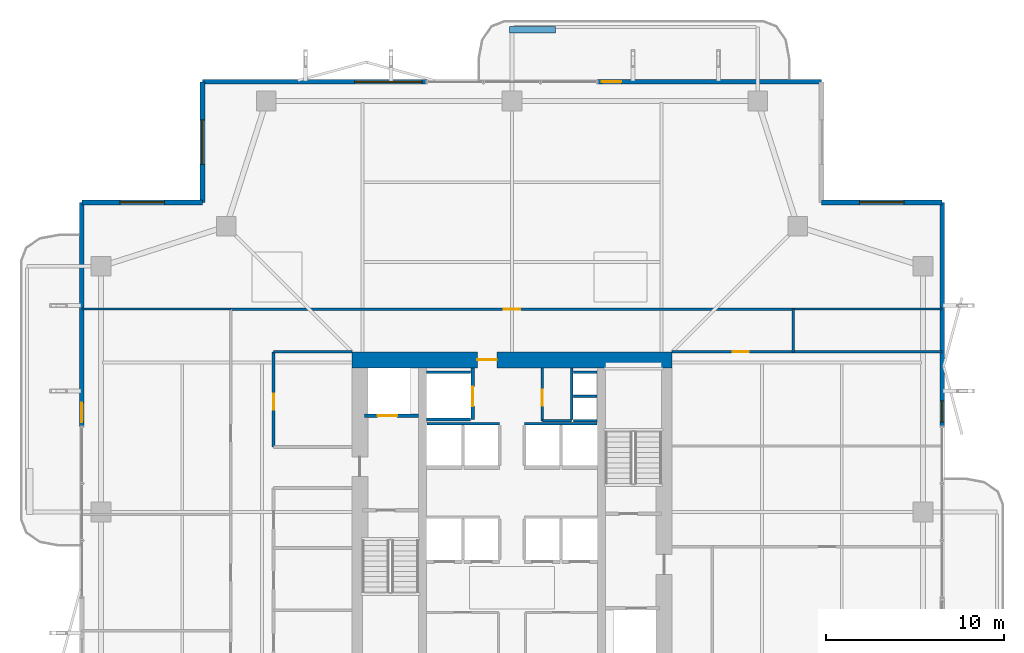
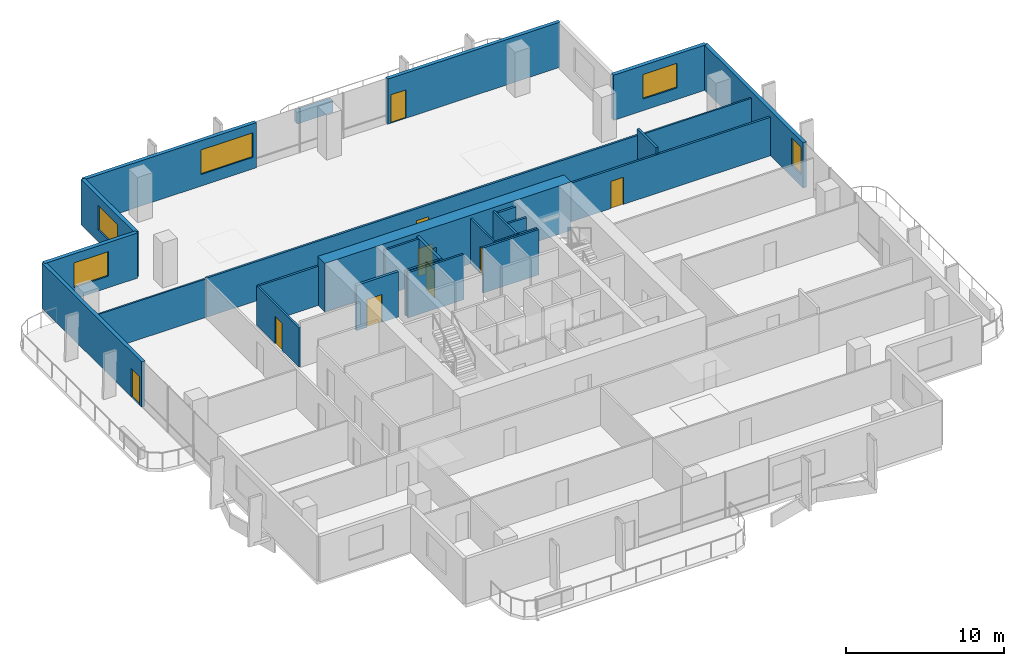
# One storey, part 21 of 25: 28 walls, 9 doors, 5 windows, 14 openings.
"""IFC4 building model written with IfcOpenShell, lengths in metres."""

import ifcopenshell
import ifcopenshell.guid

model = None  # the IFC model being written
_history = None  # IfcOwnerHistory: only IFC2X3 demands one
_inside = {}  # id of a spatial element -> (the spatial element, [elements in it])
_under = {}  # id of a project, library or spatial element -> (it, [spatial elements below it])
_declared = {}  # id of a project -> (the project, [libraries it declares])
_typed = {}  # id of a type object -> (the type object, [elements of that type])
_made_of = {}  # id of a material, layer set ... -> (it, [elements and type objects made of it])


def new_model(schema):
    """Start an empty IFC model of exactly this schema.

    Asked for "IFC4X3", IfcOpenShell would pick the latest addendum, in which some entities
    have other attributes; the version numbers below select the first issue.
    IFC2X3 requires an IfcOwnerHistory on every rooted entity: one is made here for all.
    """
    global model, _history
    if schema == "IFC4X3":
        model = ifcopenshell.file(schema_version=(4, 3, 0, 0))
    else:
        model = ifcopenshell.file(schema=schema)
    _inside.clear()
    _under.clear()
    _declared.clear()
    _typed.clear()
    _made_of.clear()
    _history = None
    if model.schema == "IFC2X3":
        org = make("IfcOrganization", Name="unknown")
        user = make(
            "IfcPersonAndOrganization",
            ThePerson=make("IfcPerson", FamilyName="unknown"),
            TheOrganization=org,
        )
        app = make(
            "IfcApplication",
            ApplicationDeveloper=org,
            Version="unknown",
            ApplicationFullName="unknown",
            ApplicationIdentifier="unknown",
        )
        _history = make(
            "IfcOwnerHistory",
            OwningUser=user,
            OwningApplication=app,
            ChangeAction="ADDED",
            CreationDate=0,
        )
    return model


def make(cls, **values):
    """One entity of the class cls with the attributes given. An attribute that is None is left unset."""
    return model.create_entity(
        cls, **{name: value for name, value in values.items() if value is not None}
    )


def rooted(cls, **values):
    """An entity with a GlobalId (a new one), such as an element, a storey or a relation."""
    return make(cls, GlobalId=ifcopenshell.guid.new(), OwnerHistory=_history, **values)


def si_unit(unit_type, name, prefix=None):
    """IfcSIUnit, for example si_unit("LENGTHUNIT", "METRE", prefix="MILLI")."""
    return make("IfcSIUnit", UnitType=unit_type, Prefix=prefix, Name=name)


def assignment(units):
    """IfcUnitAssignment: the units of a project."""
    return None if units is None else make("IfcUnitAssignment", Units=units)


def point(xyz):
    """IfcCartesianPoint."""
    return None if xyz is None else make("IfcCartesianPoint", Coordinates=xyz)


def direction(xyz):
    """IfcDirection."""
    return None if xyz is None else make("IfcDirection", DirectionRatios=xyz)


def frame(location, z_axis=None, x_axis=None):
    """IfcAxis2Placement3D, a coordinate frame: its origin and axes. An axis left out is left unset."""
    return make(
        "IfcAxis2Placement3D",
        Location=point(location),
        Axis=direction(z_axis),
        RefDirection=direction(x_axis),
    )


def frame_2d(location, x_axis=None):
    """IfcAxis2Placement2D, a coordinate frame in the plane: its origin and x axis."""
    return make(
        "IfcAxis2Placement2D", Location=point(location), RefDirection=direction(x_axis)
    )


def origin():
    """The frame at (0, 0, 0) with its axes left unset."""
    return frame((0.0, 0.0, 0.0))


def place(relative_to, where):
    """IfcLocalPlacement: puts the frame where relative to a parent placement (None: the world)."""
    return make(
        "IfcLocalPlacement", PlacementRelTo=relative_to, RelativePlacement=where
    )


def context(
    kind, dimensions, precision=None, world=None, true_north=None, identifier=None
):
    """IfcGeometricRepresentationContext, for example the 3D "Model" context."""
    return make(
        "IfcGeometricRepresentationContext",
        ContextIdentifier=identifier,
        ContextType=kind,
        CoordinateSpaceDimension=dimensions,
        Precision=precision,
        WorldCoordinateSystem=world,
        TrueNorth=true_north,
    )


def subcontext(parent, identifier, kind, view, scale=None):
    """IfcGeometricRepresentationSubContext, for example "Body" below "Model"."""
    return make(
        "IfcGeometricRepresentationSubContext",
        ContextIdentifier=identifier,
        ContextType=kind,
        ParentContext=parent,
        TargetScale=scale,
        TargetView=view,
    )


def project(units=None, contexts=None):
    """IfcProject with its units and contexts."""
    return rooted(
        "IfcProject",
        Name="project",
        RepresentationContexts=contexts,
        UnitsInContext=assignment(units),
    )


def spatial(cls, under=None, at=None, **own):
    """A site, building, storey or space (cls), placed at a placement, below another one or the project."""
    s = rooted(cls, ObjectPlacement=at, **own)
    if under is not None:
        _under.setdefault(under.id(), (under, []))[1].append(s)
    return s


def profile(cls, at=None, kind="AREA", **sizes):
    """A parametric profile (cls). Its sizes go by their IFC names, for example OverallWidth=200.0."""
    return make(cls, ProfileType=kind, Position=at, **sizes)


def rectangle(**sizes):
    """IfcRectangleProfileDef."""
    return profile("IfcRectangleProfileDef", **sizes)


def extrude(swept, where, along, depth):
    """IfcExtrudedAreaSolid: the profile swept, set in the frame where, extruded along a direction by depth."""
    return make(
        "IfcExtrudedAreaSolid",
        SweptArea=swept,
        Position=where,
        ExtrudedDirection=direction(along),
        Depth=depth,
    )


def shape(context_of_items, identifier, shape_type, items):
    """IfcShapeRepresentation: the items that make up one representation, for example the "Body"."""
    return make(
        "IfcShapeRepresentation",
        ContextOfItems=context_of_items,
        RepresentationIdentifier=identifier,
        RepresentationType=shape_type,
        Items=items,
    )


def material(Name=None, Category=None):
    """IfcMaterial."""
    return make("IfcMaterial", Name=Name, Category=Category)


def layer(
    of_material, thickness, ventilated=None, Name=None, Category=None, Priority=None
):
    """IfcMaterialLayer: one layer of a wall or slab, of a material (None: an air gap)."""
    return make(
        "IfcMaterialLayer",
        Material=of_material,
        LayerThickness=thickness,
        IsVentilated=ventilated,
        Name=Name,
        Category=Category,
        Priority=Priority,
    )


def layer_set(layers, Name=None):
    """IfcMaterialLayerSet."""
    return make("IfcMaterialLayerSet", MaterialLayers=layers, LayerSetName=Name)


def made_of(thing, what):
    """Note that an element or type object is made of a material, layer set ...; save() writes the relation."""
    if what is not None:
        _made_of.setdefault(what.id(), (what, []))[1].append(thing)
    return thing


def type_object(cls, material=None, **own):
    """A type object (cls), such as IfcWallType, which elements share."""
    return made_of(rooted(cls, **own), material)


def element(
    cls,
    number,
    at=None,
    inside=None,
    cuts=None,
    type_object=None,
    material=None,
    context=None,
    identifier="Body",
    shape_type=None,
    held_by="IfcProductDefinitionShape",
    body=None,
    shapes=None,
    **own,
):
    """One element of the class cls, such as IfcWall. Its Tag is "e" and its number.

    at: its placement. inside: the storey or other place that contains it. cuts: it is an
    opening in that element (IfcRelVoidsElement). A single representation is given by context,
    identifier, shape_type and body (its items); several are given by shapes. held_by: the class
    of the entity that holds the representations. save() writes the other relations.
    """
    e = rooted(cls, Tag="e%d" % number, ObjectPlacement=at, **own)
    if body is not None:
        shapes = [shape(context, identifier, shape_type, body)]
    if shapes is not None:
        e.Representation = make(held_by, Representations=shapes)
    if inside is not None:
        _inside.setdefault(inside.id(), (inside, []))[1].append(e)
    if cuts is not None:
        rooted(
            "IfcRelVoidsElement", RelatingBuildingElement=cuts, RelatedOpeningElement=e
        )
    if type_object is not None:
        _typed.setdefault(type_object.id(), (type_object, []))[1].append(e)
    return made_of(e, material)


def fill(opening, filler):
    """IfcRelFillsElement: the door or window that sits in an opening."""
    return rooted(
        "IfcRelFillsElement",
        RelatingOpeningElement=opening,
        RelatedBuildingElement=filler,
    )


def aggregate(whole, parts):
    """IfcRelAggregates: a whole, such as a stair, and the parts it consists of."""
    return rooted("IfcRelAggregates", RelatingObject=whole, RelatedObjects=parts)


def save(model, path):
    """Write the relations noted so far, then the file.

    IfcRelAggregates (storeys below a building ...), IfcRelContainedInSpatialStructure (elements
    in a storey), IfcRelDefinesByType, IfcRelAssociatesMaterial and IfcRelDeclares: one each for
    every whole, place, type object, material and project.
    """
    for whole, parts in _under.values():
        aggregate(whole, parts)
    for where, things in _inside.values():
        rooted(
            "IfcRelContainedInSpatialStructure",
            RelatedElements=things,
            RelatingStructure=where,
        )
    for kind, things in _typed.values():
        rooted("IfcRelDefinesByType", RelatedObjects=things, RelatingType=kind)
    for what, things in _made_of.values():
        rooted("IfcRelAssociatesMaterial", RelatedObjects=things, RelatingMaterial=what)
    for by, libraries in _declared.values():
        rooted("IfcRelDeclares", RelatingContext=by, RelatedDefinitions=libraries)
    model.write(path)


model = new_model("IFC4")

# Units and contexts
model_context = context("Model", 3, precision=1e-05, world=origin(), true_north=direction((0.0, 1.0)))
body_context = subcontext(model_context, "Body", "Model", "MODEL_VIEW")
ifc_project = project(units=[si_unit("LENGTHUNIT", "METRE"), si_unit("AREAUNIT", "SQUARE_METRE"), si_unit("VOLUMEUNIT", "CUBIC_METRE"), si_unit("PLANEANGLEUNIT", "RADIAN"), si_unit("MASSUNIT", "GRAM", prefix="KILO")], contexts=[model_context])

# Site, building, storey
site_placement = place(None, origin())
site = spatial("IfcSite", under=ifc_project, at=site_placement, CompositionType="ELEMENT")
building_placement = place(site_placement, origin())
building = spatial("IfcBuilding", under=site, at=building_placement, Name="Belovzor Exchange Tower", CompositionType="ELEMENT")
storey_placement = place(building_placement, frame((0.0, 0.0, 160.800048828125)))
storey = spatial("IfcBuildingStorey", under=building, at=storey_placement, Name="L39", CompositionType="ELEMENT", Elevation=160.800048828125)

# Walls
ifc_material_1 = material(Name="Acoustic Plasterboard on Galvanised Studs", Category="gypsum")
ifc_layer_1 = layer(ifc_material_1, 0.1201171875)
ifc_layer_set_1 = layer_set([ifc_layer_1], Name="Acoustic Plasterboard on Galvanised Studs")
wall_type_1 = type_object("IfcWallType", Name="Acoustic Double-Stud Partition Wall 120", PredefinedType="PARTITIONING", material=ifc_layer_set_1)
wall_1_placement = place(storey_placement, frame((4.6298828125, 40.199951171875, 0.0), z_axis=(0.0, 0.0, 1.0), x_axis=(1.0, 0.0, 0.0)))
element("IfcWall", 1, at=wall_1_placement, inside=storey, type_object=wall_type_1, Name="W-P120 Partition Wall W-L39-END-NW", PredefinedType="PARTITIONING", context=body_context, shape_type="SweptSolid", body=[
    extrude(rectangle(XDim=8.3701171875, YDim=0.1201171875, at=frame_2d((4.18505859375, 0.0))), origin(), (0.0, 0.0, 1.0), 2.97998046875),
])
wall_2_placement = place(storey_placement, frame((44.60009765625, 40.199951171875, 0.0), z_axis=(0.0, 0.0, 1.0), x_axis=(1.0, 0.0, 0.0)))
element("IfcWall", 2, at=wall_2_placement, inside=storey, type_object=wall_type_1, Name="W-P120 Partition Wall W-L39-END-NE", PredefinedType="PARTITIONING", context=body_context, shape_type="SweptSolid", body=[
    extrude(rectangle(XDim=8.369873046875, YDim=0.1201171875, at=frame_2d((4.18505859375, 0.0))), origin(), (0.0, 0.0, 1.0), 2.97998046875),
])

# Wall, opening, door
ifc_material_2 = material(Name="Fire-Rated Plasterboard on Galvanised Studs", Category="gypsum")
ifc_layer_2 = layer(ifc_material_2, 0.1201171875)
ifc_layer_set_2 = layer_set([ifc_layer_2], Name="Fire-Rated Plasterboard on Galvanised Studs")
wall_type_2 = type_object("IfcWallType", Name="Fire-Rated Double-Stud Partition Wall 120", PredefinedType="PARTITIONING", material=ifc_layer_set_2)
wall_3_placement = place(storey_placement, frame((30.5, 33.925048828125, 0.0), z_axis=(0.0, 0.0, 1.0), x_axis=(0.0, 1.0, 0.0)))
wall_3 = element("IfcWall", 3, at=wall_3_placement, inside=storey, type_object=wall_type_2, Name="W-P120F Partition Wall W-CRV-L39-W", PredefinedType="PARTITIONING", context=body_context, shape_type="SweptSolid", body=[
    extrude(rectangle(XDim=2.974853515625, YDim=0.1201171875, at=frame_2d((1.4873046875, 0.0))), origin(), (0.0, 0.0, 1.0), 3.494873046875),
])
opening_1_placement = place(wall_3_placement, frame((0.85009765625, 0.0, 0.0)))
opening_1 = element("IfcOpeningElement", 4, at=opening_1_placement, cuts=wall_3, Name="Opening D-FD60-090", PredefinedType="OPENING", context=body_context, shape_type="SweptSolid", body=[
    extrude(rectangle(XDim=0.89990234375, YDim=2.10009765625, at=frame_2d((0.449951171875, 1.050048828125))), frame((0.0, 0.070068359375, 0.0), z_axis=(0.0, -1.0, 0.0), x_axis=(1.0, 0.0, 0.0)), (0.0, 0.0, 1.0), 0.14013671875),
])
ifc_material_3 = material(Name="Acoustic Timber Fire Leaf", Category="wood")
door_type_1 = type_object("IfcDoorType", Name="Core Service & Restroom Fire Door 900x2100", OperationType="NOTDEFINED", PredefinedType="DOOR", material=ifc_material_3)
door_1_placement = place(opening_1_placement, origin())
door_1 = element("IfcDoor", 5, at=door_1_placement, inside=storey, type_object=door_type_1, Name="D-FD60-090 Core Service & Restroom Fire Door 900x2100", OperationType="SINGLE_SWING_LEFT", OverallHeight=2.10009765625, OverallWidth=0.89990234375, PredefinedType="DOOR", context=body_context, shape_type="SweptSolid", body=[
    extrude(rectangle(XDim=0.89990234375, YDim=2.10009765625, at=frame_2d((0.449951171875, 1.050048828125))), frame((0.0, 0.02490234375, 0.0), z_axis=(0.0, -1.0, 0.0), x_axis=(1.0, 0.0, 0.0)), (0.0, 0.0, 1.0), 0.050048828125),
])
fill(opening_1, door_1)

# Walls
wall_4_placement = place(storey_placement, frame((30.5, 33.925048828125, 0.0), z_axis=(0.0, 0.0, 1.0), x_axis=(1.0, 0.0, 0.0)))
element("IfcWall", 6, at=wall_4_placement, inside=storey, type_object=wall_type_2, Name="W-P120F Partition Wall W-CRV-L39-S", PredefinedType="PARTITIONING", context=body_context, shape_type="SweptSolid", body=[
    extrude(rectangle(XDim=1.64990234375, YDim=0.1201171875, at=frame_2d((0.824951171875, 0.0))), origin(), (0.0, 0.0, 1.0), 3.494873046875),
])
ifc_material_4 = material(Name="Fire-Rated Gypsum Block and Mineral Wool", Category="gypsum")
ifc_layer_3 = layer(ifc_material_4, 0.14990234375)
ifc_layer_set_3 = layer_set([ifc_layer_3], Name="Fire-Rated Gypsum Block and Mineral Wool")
wall_type_3 = type_object("IfcWallType", Name="Fire-Rated Gypsum Block Corridor Wall 150", PredefinedType="PARTITIONING", material=ifc_layer_set_3)
wall_5_placement = place(storey_placement, frame((15.39990234375, 37.800048828125, 0.0), z_axis=(0.0, 0.0, 1.0), x_axis=(1.0, 0.0, 0.0)))
element("IfcWall", 7, at=wall_5_placement, inside=storey, type_object=wall_type_3, Name="W-P150 Partition Wall W-L39-INW-N", PredefinedType="PARTITIONING", context=body_context, shape_type="SweptSolid", body=[
    extrude(rectangle(XDim=4.400146484375, YDim=0.14990234375, at=frame_2d((2.2001953125, 0.0))), origin(), (0.0, 0.0, 1.0), 3.030029296875),
])

# Wall, opening, door
wall_6_placement = place(storey_placement, frame((15.39990234375, 32.449951171875, 0.0), z_axis=(0.0, 0.0, 1.0), x_axis=(0.0, 1.0, 0.0)))
wall_6 = element("IfcWall", 8, at=wall_6_placement, inside=storey, type_object=wall_type_3, Name="W-P150 Partition Wall W-L39-WIE-N", PredefinedType="PARTITIONING", context=body_context, shape_type="SweptSolid", body=[
    extrude(rectangle(XDim=5.35009765625, YDim=0.14990234375, at=frame_2d((2.675048828125, 0.0))), origin(), (0.0, 0.0, 1.0), 3.030029296875),
])
opening_2_placement = place(wall_6_placement, frame((2.10009765625, 0.0, 0.0)))
opening_2 = element("IfcOpeningElement", 9, at=opening_2_placement, cuts=wall_6, Name="Opening D-FD60-090", PredefinedType="OPENING", context=body_context, shape_type="SweptSolid", body=[
    extrude(rectangle(XDim=0.89990234375, YDim=2.10009765625, at=frame_2d((0.449951171875, 1.050048828125))), frame((0.0, 0.0849609375, 0.0), z_axis=(0.0, -1.0, 0.0), x_axis=(1.0, 0.0, 0.0)), (0.0, 0.0, 1.0), 0.169921875),
])
door_2_placement = place(opening_2_placement, origin())
door_2 = element("IfcDoor", 10, at=door_2_placement, inside=storey, type_object=door_type_1, Name="D-FD60-090 Core Service & Restroom Fire Door 900x2100", OperationType="SINGLE_SWING_LEFT", OverallHeight=2.10009765625, OverallWidth=0.89990234375, PredefinedType="DOOR", context=body_context, shape_type="SweptSolid", body=[
    extrude(rectangle(XDim=0.89990234375, YDim=2.10009765625, at=frame_2d((0.449951171875, 1.050048828125))), frame((0.0, 0.02490234375, 0.0), z_axis=(0.0, -1.0, 0.0), x_axis=(1.0, 0.0, 0.0)), (0.0, 0.0, 1.0), 0.050048828125),
])
fill(opening_2, door_2)

# Wall
wall_7_placement = place(storey_placement, frame((44.60009765625, 37.800048828125, 0.0), z_axis=(0.0, 0.0, 1.0), x_axis=(0.0, 1.0, 0.0)))
element("IfcWall", 11, at=wall_7_placement, inside=storey, type_object=wall_type_3, Name="W-P150 Partition Wall W-L39-END-EN", PredefinedType="PARTITIONING", context=body_context, shape_type="SweptSolid", body=[
    extrude(rectangle(XDim=2.39990234375, YDim=0.14990234375, at=frame_2d((1.199951171875, 0.0))), origin(), (0.0, 0.0, 1.0), 3.494873046875),
])

# Wall, opening, door
wall_8_placement = place(storey_placement, frame((37.800048828125, 37.800048828125, 0.0), z_axis=(0.0, 0.0, 1.0), x_axis=(1.0, 0.0, 0.0)))
wall_8 = element("IfcWall", 12, at=wall_8_placement, inside=storey, type_object=wall_type_3, Name="W-P150 Partition Wall W-L39-CN-IN", PredefinedType="PARTITIONING", context=body_context, shape_type="SweptSolid", body=[
    extrude(rectangle(XDim=15.169921875, YDim=0.14990234375, at=frame_2d((7.5849609375, 0.0))), origin(), (0.0, 0.0, 1.0), 2.97998046875),
])
opening_3_placement = place(wall_8_placement, frame((3.39990234375, 0.0, 0.0)))
opening_3 = element("IfcOpeningElement", 13, at=opening_3_placement, cuts=wall_8, Name="Opening D-INT-090", PredefinedType="OPENING", context=body_context, shape_type="SweptSolid", body=[
    extrude(rectangle(XDim=0.89990234375, YDim=2.10009765625, at=frame_2d((0.449951171875, 1.050048828125))), frame((0.0, 0.0849609375, 0.0), z_axis=(0.0, -1.0, 0.0), x_axis=(1.0, 0.0, 0.0)), (0.0, 0.0, 1.0), 0.169921875),
])
ifc_material_5 = material(Name="Veneered Hardwood Acoustic Leaf", Category="wood")
door_type_2 = type_object("IfcDoorType", Name="Trading Suite Acoustic Single Door 900x2100", OperationType="NOTDEFINED", PredefinedType="DOOR", material=ifc_material_5)
door_3_placement = place(opening_3_placement, origin())
door_3 = element("IfcDoor", 14, at=door_3_placement, inside=storey, type_object=door_type_2, Name="D-INT-090 Trading Suite Acoustic Single Door 900x2100", OperationType="SINGLE_SWING_RIGHT", OverallHeight=2.10009765625, OverallWidth=0.89990234375, PredefinedType="DOOR", context=body_context, shape_type="SweptSolid", body=[
    extrude(rectangle(XDim=0.89990234375, YDim=2.10009765625, at=frame_2d((0.449951171875, 1.050048828125))), frame((0.0, 0.02490234375, 0.0), z_axis=(0.0, -1.0, 0.0), x_axis=(1.0, 0.0, 0.0)), (0.0, 0.0, 1.0), 0.050048828125),
])
fill(opening_3, door_3)

wall_9_placement = place(storey_placement, frame((13.0, 40.199951171875, 0.0), z_axis=(0.0, 0.0, 1.0), x_axis=(1.0, 0.0, 0.0)))
wall_9 = element("IfcWall", 15, at=wall_9_placement, inside=storey, type_object=wall_type_3, Name="W-P150 Partition Wall W-L39-CN", PredefinedType="PARTITIONING", context=body_context, shape_type="SweptSolid", body=[
    extrude(rectangle(XDim=31.60009765625, YDim=0.14990234375, at=frame_2d((15.800048828125, 0.0))), origin(), (0.0, 0.0, 1.0), 3.030029296875),
])
opening_4_placement = place(wall_9_placement, frame((15.35009765625, 0.0, 0.0)))
opening_4 = element("IfcOpeningElement", 16, at=opening_4_placement, cuts=wall_9, Name="Opening D-INT-090", PredefinedType="OPENING", context=body_context, shape_type="SweptSolid", body=[
    extrude(rectangle(XDim=0.89990234375, YDim=2.10009765625, at=frame_2d((0.449951171875, 1.050048828125))), frame((0.0, 0.0849609375, 0.0), z_axis=(0.0, -1.0, 0.0), x_axis=(1.0, 0.0, 0.0)), (0.0, 0.0, 1.0), 0.169921875),
])
door_4_placement = place(opening_4_placement, origin())
door_4 = element("IfcDoor", 17, at=door_4_placement, inside=storey, type_object=door_type_2, Name="D-INT-090 Trading Suite Acoustic Single Door 900x2100", OperationType="SINGLE_SWING_LEFT", OverallHeight=2.10009765625, OverallWidth=0.89990234375, PredefinedType="DOOR", context=body_context, shape_type="SweptSolid", body=[
    extrude(rectangle(XDim=0.89990234375, YDim=2.10009765625, at=frame_2d((0.449951171875, 1.050048828125))), frame((0.0, 0.02490234375, 0.0), z_axis=(0.0, -1.0, 0.0), x_axis=(1.0, 0.0, 0.0)), (0.0, 0.0, 1.0), 0.050048828125),
])
fill(opening_4, door_4)

# Wall, opening, window
ifc_material_6 = material(Name="Precast concrete C40/50", Category="concrete")
ifc_layer_4 = layer(ifc_material_6, 0.280029296875)
ifc_layer_set_4 = layer_set([ifc_layer_4], Name="Precast concrete C40/50")
wall_type_4 = type_object("IfcWallType", Name="Precast Concrete Notched Corner Frame Wall 280", PredefinedType="SOLIDWALL", material=ifc_layer_set_4)
wall_10_placement = place(storey_placement, frame((4.6298828125, 46.199951171875, 0.0), z_axis=(0.0, 0.0, 1.0), x_axis=(1.0, 0.0, 0.0)))
wall_10 = element("IfcWall", 18, at=wall_10_placement, inside=storey, type_object=wall_type_4, Name="W-CRN280 Precast Concrete Notched Corner Frame Wall 280 L39", PredefinedType="SOLIDWALL", context=body_context, shape_type="SweptSolid", body=[
    extrude(rectangle(XDim=6.77001953125, YDim=0.280029296875, at=frame_2d((3.385009765625, 0.0))), origin(), (0.0, 0.0, 1.0), 3.494873046875),
])
opening_5_placement = place(wall_10_placement, frame((2.135009765625, 0.0, 0.89990234375)))
opening_5 = element("IfcOpeningElement", 19, at=opening_5_placement, cuts=wall_10, Name="Opening WN-CRN250", PredefinedType="OPENING", context=body_context, shape_type="SweptSolid", body=[
    extrude(rectangle(XDim=2.5, YDim=1.89990234375, at=frame_2d((1.25, 0.949951171875))), frame((0.0, 0.14990234375, 0.0), z_axis=(0.0, -1.0, 0.0), x_axis=(1.0, 0.0, 0.0)), (0.0, 0.0, 1.0), 0.300048828125),
])
ifc_material_7 = material(Name="Thermally Broken Aluminium and Triple Glazing", Category="aluminium")
window_type_1 = type_object("IfcWindowType", Name="Streamline Moderne Corner Wrap Ribbon Window 2500x1900", PartitioningType="SINGLE_PANEL", PredefinedType="WINDOW", material=ifc_material_7)
window_1_placement = place(opening_5_placement, origin())
window_1 = element("IfcWindow", 20, at=window_1_placement, inside=storey, type_object=window_type_1, Name="WN-CRN250 Streamline Moderne Corner Wrap Ribbon Window 2500x1900", OverallHeight=1.89990234375, OverallWidth=2.5, PartitioningType="SINGLE_PANEL", PredefinedType="WINDOW", context=body_context, shape_type="SweptSolid", body=[
    extrude(rectangle(XDim=2.5, YDim=1.89990234375, at=frame_2d((1.25, 0.949951171875))), frame((0.0, 0.030029296875, 0.0), z_axis=(0.0, -1.0, 0.0), x_axis=(1.0, 0.0, 0.0)), (0.0, 0.0, 1.0), 0.06005859375),
])
fill(opening_5, window_1)

wall_11_placement = place(storey_placement, frame((11.39990234375, 46.199951171875, 0.0), z_axis=(0.0, 0.0, 1.0), x_axis=(0.0, 1.0, 0.0)))
wall_11 = element("IfcWall", 21, at=wall_11_placement, inside=storey, type_object=wall_type_4, Name="W-CRN280 Precast Concrete Notched Corner Frame Wall 280 L39", PredefinedType="SOLIDWALL", context=body_context, shape_type="SweptSolid", body=[
    extrude(rectangle(XDim=6.77001953125, YDim=0.280029296875, at=frame_2d((3.385009765625, 0.0))), origin(), (0.0, 0.0, 1.0), 3.494873046875),
])
opening_6_placement = place(wall_11_placement, frame((2.135009765625, 0.0, 0.89990234375)))
opening_6 = element("IfcOpeningElement", 22, at=opening_6_placement, cuts=wall_11, Name="Opening WN-CRN250", PredefinedType="OPENING", context=body_context, shape_type="SweptSolid", body=[
    extrude(rectangle(XDim=2.5, YDim=1.89990234375, at=frame_2d((1.25, 0.949951171875))), frame((0.0, 0.14990234375, 0.0), z_axis=(0.0, -1.0, 0.0), x_axis=(1.0, 0.0, 0.0)), (0.0, 0.0, 1.0), 0.300048828125),
])
window_2_placement = place(opening_6_placement, origin())
window_2 = element("IfcWindow", 23, at=window_2_placement, inside=storey, type_object=window_type_1, Name="WN-CRN250 Streamline Moderne Corner Wrap Ribbon Window 2500x1900", OverallHeight=1.89990234375, OverallWidth=2.5, PartitioningType="SINGLE_PANEL", PredefinedType="WINDOW", context=body_context, shape_type="SweptSolid", body=[
    extrude(rectangle(XDim=2.5, YDim=1.89990234375, at=frame_2d((1.25, 0.949951171875))), frame((0.0, 0.030029296875, 0.0), z_axis=(0.0, -1.0, 0.0), x_axis=(1.0, 0.0, 0.0)), (0.0, 0.0, 1.0), 0.06005859375),
])
fill(opening_6, window_2)

wall_12_placement = place(storey_placement, frame((46.199951171875, 46.199951171875, 0.0), z_axis=(0.0, 0.0, 1.0), x_axis=(1.0, 0.0, 0.0)))
wall_12 = element("IfcWall", 24, at=wall_12_placement, inside=storey, type_object=wall_type_4, Name="W-CRN280 Precast Concrete Notched Corner Frame Wall 280 L39", PredefinedType="SOLIDWALL", context=body_context, shape_type="SweptSolid", body=[
    extrude(rectangle(XDim=6.77001953125, YDim=0.280029296875, at=frame_2d((3.385009765625, 0.0))), origin(), (0.0, 0.0, 1.0), 3.494873046875),
])
opening_7_placement = place(wall_12_placement, frame((2.135009765625, 0.0, 0.89990234375)))
opening_7 = element("IfcOpeningElement", 25, at=opening_7_placement, cuts=wall_12, Name="Opening WN-CRN250", PredefinedType="OPENING", context=body_context, shape_type="SweptSolid", body=[
    extrude(rectangle(XDim=2.5, YDim=1.89990234375, at=frame_2d((1.25, 0.949951171875))), frame((0.0, 0.14990234375, 0.0), z_axis=(0.0, -1.0, 0.0), x_axis=(1.0, 0.0, 0.0)), (0.0, 0.0, 1.0), 0.300048828125),
])
window_3_placement = place(opening_7_placement, origin())
window_3 = element("IfcWindow", 26, at=window_3_placement, inside=storey, type_object=window_type_1, Name="WN-CRN250 Streamline Moderne Corner Wrap Ribbon Window 2500x1900", OverallHeight=1.89990234375, OverallWidth=2.5, PartitioningType="SINGLE_PANEL", PredefinedType="WINDOW", context=body_context, shape_type="SweptSolid", body=[
    extrude(rectangle(XDim=2.5, YDim=1.89990234375, at=frame_2d((1.25, 0.949951171875))), frame((0.0, 0.030029296875, 0.0), z_axis=(0.0, -1.0, 0.0), x_axis=(1.0, 0.0, 0.0)), (0.0, 0.0, 1.0), 0.06005859375),
])
fill(opening_7, window_3)

ifc_material_8 = material(Name="Precast concrete C40/50", Category="concrete")
ifc_layer_5 = layer(ifc_material_8, 0.260009765625)
ifc_layer_set_5 = layer_set([ifc_layer_5], Name="Precast concrete C40/50")
wall_type_5 = type_object("IfcWallType", Name="Precast Concrete Perimeter Loggia Frame Wall 260", PredefinedType="SOLIDWALL", material=ifc_layer_set_5)
wall_13_placement = place(storey_placement, frame((11.39990234375, 52.969970703125, 0.0), z_axis=(0.0, 0.0, 1.0), x_axis=(1.0, 0.0, 0.0)))
wall_13 = element("IfcWall", 27, at=wall_13_placement, inside=storey, type_object=wall_type_5, Name="W-EXT260 Precast Concrete Perimeter Loggia Frame Wall 260 L39", PredefinedType="SOLIDWALL", context=body_context, shape_type="SweptSolid", body=[
    extrude(rectangle(XDim=12.60009765625, YDim=0.260009765625, at=frame_2d((6.300048828125, 0.0))), origin(), (0.0, 0.0, 1.0), 3.494873046875),
])
opening_8_placement = place(wall_13_placement, frame((8.550048828125, 0.0, 0.89990234375)))
opening_8 = element("IfcOpeningElement", 28, at=opening_8_placement, cuts=wall_13, Name="Opening WN-RIB380", PredefinedType="OPENING", context=body_context, shape_type="SweptSolid", body=[
    extrude(rectangle(XDim=3.800048828125, YDim=1.89990234375, at=frame_2d((1.89990234375, 0.949951171875))), frame((0.0, 0.139892578125, 0.0), z_axis=(0.0, -1.0, 0.0), x_axis=(1.0, 0.0, 0.0)), (0.0, 0.0, 1.0), 0.280029296875),
])
ifc_material_9 = material(Name="Thermally Broken Aluminium and Triple Glazing", Category="aluminium")
window_type_2 = type_object("IfcWindowType", Name="Streamline Moderne Horizontal Ribbon Window 3800x1900", PartitioningType="SINGLE_PANEL", PredefinedType="WINDOW", material=ifc_material_9)
window_4_placement = place(opening_8_placement, origin())
window_4 = element("IfcWindow", 29, at=window_4_placement, inside=storey, type_object=window_type_2, Name="WN-RIB380 Streamline Moderne Horizontal Ribbon Window 3800x1900", OverallHeight=1.89990234375, OverallWidth=3.800048828125, PartitioningType="SINGLE_PANEL", PredefinedType="WINDOW", context=body_context, shape_type="SweptSolid", body=[
    extrude(rectangle(XDim=3.800048828125, YDim=1.89990234375, at=frame_2d((1.89990234375, 0.949951171875))), frame((0.0, 0.030029296875, 0.0), z_axis=(0.0, -1.0, 0.0), x_axis=(1.0, 0.0, 0.0)), (0.0, 0.0, 1.0), 0.06005859375),
])
fill(opening_8, window_4)

# Wall, opening, door
wall_14_placement = place(storey_placement, frame((33.60009765625, 52.969970703125, 0.0), z_axis=(0.0, 0.0, 1.0), x_axis=(1.0, 0.0, 0.0)))
wall_14 = element("IfcWall", 30, at=wall_14_placement, inside=storey, type_object=wall_type_5, Name="W-EXT260 Precast Concrete Perimeter Loggia Frame Wall 260 L39", PredefinedType="SOLIDWALL", context=body_context, shape_type="SweptSolid", body=[
    extrude(rectangle(XDim=12.599853515625, YDim=0.260009765625, at=frame_2d((6.2998046875, 0.0))), origin(), (0.0, 0.0, 1.0), 3.494873046875),
])
opening_9_placement = place(wall_14_placement, frame((0.25, 0.0, 0.0)))
opening_9 = element("IfcOpeningElement", 31, at=opening_9_placement, cuts=wall_14, Name="Opening D-BAL110", PredefinedType="OPENING", context=body_context, shape_type="SweptSolid", body=[
    extrude(rectangle(XDim=1.10009765625, YDim=2.199951171875, at=frame_2d((0.550048828125, 1.10009765625))), frame((0.0, 0.139892578125, 0.0), z_axis=(0.0, -1.0, 0.0), x_axis=(1.0, 0.0, 0.0)), (0.0, 0.0, 1.0), 0.280029296875),
])
ifc_material_10 = material(Name="Thermally Broken Anodised Aluminium and Laminated Glass", Category="aluminium")
door_type_3 = type_object("IfcDoorType", Name="Planted Loggia Terrace Glazed Door 1100x2200", OperationType="SINGLE_SWING_LEFT", PredefinedType="DOOR", material=ifc_material_10)
door_5_placement = place(opening_9_placement, origin())
door_5 = element("IfcDoor", 32, at=door_5_placement, inside=storey, type_object=door_type_3, Name="D-BAL110 Balcony Terrace Door L39 N", OperationType="SINGLE_SWING_RIGHT", OverallHeight=2.199951171875, OverallWidth=1.10009765625, PredefinedType="DOOR", context=body_context, shape_type="SweptSolid", body=[
    extrude(rectangle(XDim=1.10009765625, YDim=2.199951171875, at=frame_2d((0.550048828125, 1.10009765625))), frame((0.0, 0.02490234375, 0.0), z_axis=(0.0, -1.0, 0.0), x_axis=(1.0, 0.0, 0.0)), (0.0, 0.0, 1.0), 0.050048828125),
])
fill(opening_9, door_5)

wall_15_placement = place(storey_placement, frame((4.6298828125, 33.60009765625, 0.0), z_axis=(0.0, 0.0, 1.0), x_axis=(0.0, 1.0, 0.0)))
wall_15 = element("IfcWall", 33, at=wall_15_placement, inside=storey, type_object=wall_type_5, Name="W-EXT260 Precast Concrete Perimeter Loggia Frame Wall 260 L39", PredefinedType="SOLIDWALL", context=body_context, shape_type="SweptSolid", body=[
    extrude(rectangle(XDim=12.599853515625, YDim=0.260009765625, at=frame_2d((6.2998046875, 0.0))), origin(), (0.0, 0.0, 1.0), 3.494873046875),
])
opening_10_placement = place(wall_15_placement, frame((0.25, 0.0, 0.0)))
opening_10 = element("IfcOpeningElement", 34, at=opening_10_placement, cuts=wall_15, Name="Opening D-BAL110", PredefinedType="OPENING", context=body_context, shape_type="SweptSolid", body=[
    extrude(rectangle(XDim=1.10009765625, YDim=2.199951171875, at=frame_2d((0.550048828125, 1.10009765625))), frame((0.0, 0.139892578125, 0.0), z_axis=(0.0, -1.0, 0.0), x_axis=(1.0, 0.0, 0.0)), (0.0, 0.0, 1.0), 0.280029296875),
])
door_6_placement = place(opening_10_placement, origin())
door_6 = element("IfcDoor", 35, at=door_6_placement, inside=storey, type_object=door_type_3, Name="D-BAL110 Balcony Terrace Door L39 W", OperationType="SINGLE_SWING_RIGHT", OverallHeight=2.199951171875, OverallWidth=1.10009765625, PredefinedType="DOOR", context=body_context, shape_type="SweptSolid", body=[
    extrude(rectangle(XDim=1.10009765625, YDim=2.199951171875, at=frame_2d((0.550048828125, 1.10009765625))), frame((0.0, 0.02490234375, 0.0), z_axis=(0.0, -1.0, 0.0), x_axis=(1.0, 0.0, 0.0)), (0.0, 0.0, 1.0), 0.050048828125),
])
fill(opening_10, door_6)

# Wall, opening, window
wall_16_placement = place(storey_placement, frame((52.969970703125, 46.199951171875, 0.0), z_axis=(0.0, 0.0, 1.0), x_axis=(0.0, -1.0, 0.0)))
wall_16 = element("IfcWall", 36, at=wall_16_placement, inside=storey, type_object=wall_type_5, Name="W-EXT260 Precast Concrete Perimeter Loggia Frame Wall 260 L39", PredefinedType="SOLIDWALL", context=body_context, shape_type="SweptSolid", body=[
    extrude(rectangle(XDim=12.599853515625, YDim=0.260009765625, at=frame_2d((6.2998046875, 0.0))), origin(), (0.0, 0.0, 1.0), 3.494873046875),
])
opening_11_placement = place(wall_16_placement, frame((11.14990234375, 0.0, 0.89990234375)))
opening_11 = element("IfcOpeningElement", 37, at=opening_11_placement, cuts=wall_16, Name="Opening WN-CRN120", PredefinedType="OPENING", context=body_context, shape_type="SweptSolid", body=[
    extrude(rectangle(XDim=1.199951171875, YDim=2.10009765625, at=frame_2d((0.60009765625, 1.050048828125))), frame((0.0, 0.139892578125, 0.0), z_axis=(0.0, -1.0, 0.0), x_axis=(1.0, 0.0, 0.0)), (0.0, 0.0, 1.0), 0.280029296875),
])
ifc_material_11 = material(Name="Thermally Broken Aluminium and Triple Glazing", Category="aluminium")
window_type_3 = type_object("IfcWindowType", Name="Streamline Notched Corner Window 1200x2100", PartitioningType="SINGLE_PANEL", PredefinedType="WINDOW", material=ifc_material_11)
window_5_placement = place(opening_11_placement, origin())
window_5 = element("IfcWindow", 38, at=window_5_placement, inside=storey, type_object=window_type_3, Name="WN-CRN120 Streamline Notched Corner Window 1200x2100", OverallHeight=2.10009765625, OverallWidth=1.199951171875, PartitioningType="SINGLE_PANEL", PredefinedType="WINDOW", context=body_context, shape_type="SweptSolid", body=[
    extrude(rectangle(XDim=1.199951171875, YDim=2.10009765625, at=frame_2d((0.60009765625, 1.050048828125))), frame((0.0, 0.030029296875, 0.0), z_axis=(0.0, -1.0, 0.0), x_axis=(1.0, 0.0, 0.0)), (0.0, 0.0, 1.0), 0.06005859375),
])
fill(opening_11, window_5)

# Walls
ifc_material_12 = material(Name="Precast concrete C40/50", Category="concrete")
ifc_layer_6 = layer(ifc_material_12, 0.35009765625)
ifc_layer_set_6 = layer_set([ifc_layer_6], Name="Precast concrete C40/50")
wall_type_6 = type_object("IfcWallType", Name="Precast Concrete Structural Tree Planter Trough 350", PredefinedType="PARAPET", material=ifc_layer_set_6)
wall_17_placement = place(storey_placement, frame((28.64990234375, 55.89990234375, 0.0), z_axis=(0.0, 0.0, 1.0), x_axis=(1.0, 0.0, 0.0)))
element("IfcWall", 39, at=wall_17_placement, inside=storey, type_object=wall_type_6, Name="PT-350 Precast Concrete Structural Tree Planter Trough 350 L39", PredefinedType="PARAPET", context=body_context, shape_type="SweptSolid", body=[
    extrude(rectangle(XDim=2.60009765625, YDim=0.35009765625, at=frame_2d((1.300048828125, 0.0))), origin(), (0.0, 0.0, 1.0), 0.89990234375),
])
ifc_material_13 = material(Name="Concrete C50/60", Category="concrete")
ifc_layer_7 = layer(ifc_material_13, 0.14990234375)
ifc_layer_set_7 = layer_set([ifc_layer_7], Name="Concrete C50/60")
wall_type_7 = type_object("IfcWallType", Name="Reinforced Concrete Core Riser Shear Wall 150", PredefinedType="SHEAR", material=ifc_layer_set_7)
wall_18_placement = place(storey_placement, frame((32.14990234375, 34.0, 0.0), z_axis=(0.0, 0.0, 1.0), x_axis=(0.0, 1.0, 0.0)))
element("IfcWall", 40, at=wall_18_placement, inside=storey, type_object=wall_type_7, Name="W-C150S Core Shaft Wall W-RSR-L39-E", PredefinedType="SHEAR", context=body_context, shape_type="SweptSolid", body=[
    extrude(rectangle(XDim=2.89990234375, YDim=0.14990234375, at=frame_2d((1.449951171875, 0.0))), origin(), (0.0, 0.0, 1.0), 3.494873046875),
])
for number, where, z_axis, x_axis, name in (
    (41, (32.25, 33.925048828125, 0.0), (0.0, 0.0, 1.0), (1.0, 0.0, 0.0), "W-C150S Core Shaft Wall W-RSR-L39-S"),
    (42, (32.25, 35.300048828125, 0.0), (0.0, 0.0, 1.0), (1.0, 0.0, 0.0), "W-C150S Core Shaft Wall W-RSR-L39-M"),
):
    element("IfcWall", number, at=place(storey_placement, frame(where, z_axis=z_axis, x_axis=x_axis)), inside=storey, type_object=wall_type_7, Name=name, PredefinedType="SHEAR", context=body_context, shape_type="SweptSolid", body=[
        extrude(rectangle(XDim=1.330078125, YDim=0.14990234375, at=frame_2d((0.6650390625, 0.0))), origin(), (0.0, 0.0, 1.0), 3.494873046875),
    ])
for number, where, z_axis, x_axis, name in (
    (43, (24.0, 34.0, 0.0), (0.0, 0.0, 1.0), (1.0, 0.0, 0.0), "W-C150S Core Shaft Wall W-SH-L39-SL-01S"),
    (44, (24.0, 36.64990234375, 0.0), (0.0, 0.0, 1.0), (1.0, 0.0, 0.0), "W-C150S Core Shaft Wall W-SH-L39-SL-01N"),
):
    element("IfcWall", number, at=place(storey_placement, frame(where, z_axis=z_axis, x_axis=x_axis)), inside=storey, type_object=wall_type_7, Name=name, PredefinedType="SHEAR", context=body_context, shape_type="SweptSolid", body=[
        extrude(rectangle(XDim=2.47998046875, YDim=0.14990234375, at=frame_2d((1.239990234375, 0.0))), origin(), (0.0, 0.0, 1.0), 3.494873046875),
    ])
wall_19_placement = place(storey_placement, frame((32.25, 36.64990234375, 0.0), z_axis=(0.0, 0.0, 1.0), x_axis=(1.0, 0.0, 0.0)))
element("IfcWall", 45, at=wall_19_placement, inside=storey, type_object=wall_type_7, Name="W-C150S Core Shaft Wall W-RSR-L39-N", PredefinedType="SHEAR", context=body_context, shape_type="SweptSolid", body=[
    extrude(rectangle(XDim=1.330078125, YDim=0.14990234375, at=frame_2d((0.6650390625, 0.0))), origin(), (0.0, 0.0, 1.0), 3.494873046875),
])
for number, where, z_axis, x_axis, name in (
    (46, (24.02001953125, 33.760009765625, 0.0), (0.0, 0.0, 1.0), (1.0, 0.0, 0.0), "W-C150S Core Shaft Wall W-SHB-L39-PLH-NW"),
    (47, (29.5, 33.760009765625, 0.0), (0.0, 0.0, 1.0), (1.0, 0.0, 0.0), "W-C150S Core Shaft Wall W-SHB-L39-PLH-NE"),
):
    element("IfcWall", number, at=place(storey_placement, frame(where, z_axis=z_axis, x_axis=x_axis)), inside=storey, type_object=wall_type_7, Name=name, PredefinedType="SHEAR", context=body_context, shape_type="SweptSolid", body=[
        extrude(rectangle(XDim=4.080078125, YDim=0.14990234375, at=frame_2d((2.0400390625, 0.0))), origin(), (0.0, 0.0, 1.0), 3.494873046875),
    ])

# Wall, opening, door
ifc_material_14 = material(Name="Concrete C50/60", Category="concrete")
ifc_layer_8 = layer(ifc_material_14, 0.199951171875)
ifc_layer_set_8 = layer_set([ifc_layer_8], Name="Concrete C50/60")
wall_type_8 = type_object("IfcWallType", Name="Reinforced Concrete Core Shaft Shear Wall 200", PredefinedType="SHEAR", material=ifc_layer_set_8)
wall_20_placement = place(storey_placement, frame((20.5, 34.199951171875, 0.0), z_axis=(0.0, 0.0, 1.0), x_axis=(1.0, 0.0, 0.0)))
wall_20 = element("IfcWall", 48, at=wall_20_placement, inside=storey, type_object=wall_type_8, Name="W-C200S Core Shaft Wall W-SH-L39-FFL-01", PredefinedType="SHEAR", context=body_context, shape_type="SweptSolid", body=[
    extrude(rectangle(XDim=3.050048828125, YDim=0.199951171875, at=frame_2d((1.52490234375, 0.0))), origin(), (0.0, 0.0, 1.0), 3.494873046875),
])
opening_12_placement = place(wall_20_placement, frame((0.75, 0.0, 0.0)))
opening_12 = element("IfcOpeningElement", 49, at=opening_12_placement, cuts=wall_20, Name="Opening LD-110", PredefinedType="OPENING", context=body_context, shape_type="SweptSolid", body=[
    extrude(rectangle(XDim=1.10009765625, YDim=2.14990234375, at=frame_2d((0.550048828125, 1.074951171875))), frame((0.0, 0.10986328125, 0.0), z_axis=(0.0, -1.0, 0.0), x_axis=(1.0, 0.0, 0.0)), (0.0, 0.0, 1.0), 0.219970703125),
])
ifc_material_15 = material(Name="Stainless Steel Grade 304", Category="steel")
door_type_4 = type_object("IfcDoorType", Name="Automated Stainless Steel Lift Landing Door 1100x2150", OperationType="SLIDING_TO_RIGHT", PredefinedType="DOOR", material=ifc_material_15)
door_7_placement = place(opening_12_placement, origin())
door_7 = element("IfcDoor", 50, at=door_7_placement, inside=storey, type_object=door_type_4, Name="LD-110 Automated Stainless Steel Lift Landing Door 1100x2150", OperationType="SLIDING_TO_RIGHT", OverallHeight=2.14990234375, OverallWidth=1.10009765625, PredefinedType="DOOR", context=body_context, shape_type="SweptSolid", body=[
    extrude(rectangle(XDim=1.10009765625, YDim=2.14990234375, at=frame_2d((0.550048828125, 1.074951171875))), frame((0.0, 0.02490234375, 0.0), z_axis=(0.0, -1.0, 0.0), x_axis=(1.0, 0.0, 0.0)), (0.0, 0.0, 1.0), 0.050048828125),
])
fill(opening_12, door_7)

wall_21_placement = place(storey_placement, frame((26.60009765625, 34.0, 0.0), z_axis=(0.0, 0.0, 1.0), x_axis=(0.0, 1.0, 0.0)))
wall_21 = element("IfcWall", 51, at=wall_21_placement, inside=storey, type_object=wall_type_8, Name="W-C200S Core Shaft Wall W-SH-L39-SL-01", PredefinedType="SHEAR", context=body_context, shape_type="SweptSolid", body=[
    extrude(rectangle(XDim=2.89990234375, YDim=0.199951171875, at=frame_2d((1.449951171875, 0.0))), origin(), (0.0, 0.0, 1.0), 3.494873046875),
])
opening_13_placement = place(wall_21_placement, frame((0.75, 0.0, 0.0)))
opening_13 = element("IfcOpeningElement", 52, at=opening_13_placement, cuts=wall_21, Name="Opening LD-110", PredefinedType="OPENING", context=body_context, shape_type="SweptSolid", body=[
    extrude(rectangle(XDim=1.10009765625, YDim=2.14990234375, at=frame_2d((0.550048828125, 1.074951171875))), frame((0.0, 0.10986328125, 0.0), z_axis=(0.0, -1.0, 0.0), x_axis=(1.0, 0.0, 0.0)), (0.0, 0.0, 1.0), 0.219970703125),
])
door_8_placement = place(opening_13_placement, origin())
door_8 = element("IfcDoor", 53, at=door_8_placement, inside=storey, type_object=door_type_4, Name="LD-110 Automated Stainless Steel Lift Landing Door 1100x2150", OperationType="SLIDING_TO_RIGHT", OverallHeight=2.14990234375, OverallWidth=1.10009765625, PredefinedType="DOOR", context=body_context, shape_type="SweptSolid", body=[
    extrude(rectangle(XDim=1.10009765625, YDim=2.14990234375, at=frame_2d((0.550048828125, 1.074951171875))), frame((0.0, 0.02490234375, 0.0), z_axis=(0.0, -1.0, 0.0), x_axis=(1.0, 0.0, 0.0)), (0.0, 0.0, 1.0), 0.050048828125),
])
fill(opening_13, door_8)

ifc_material_16 = material(Name="Concrete C60/75", Category="concrete")
ifc_layer_9 = layer(ifc_material_16, 0.89990234375)
ifc_layer_set_9 = layer_set([ifc_layer_9], Name="Concrete C60/75")
wall_type_9 = type_object("IfcWallType", Name="Reinforced Concrete Core Shear Wall 900", PredefinedType="SHEAR", material=ifc_layer_set_9)
wall_22_placement = place(storey_placement, frame((19.800048828125, 37.35009765625, 0.0), z_axis=(0.0, 0.0, 1.0), x_axis=(1.0, 0.0, 0.0)))
wall_22 = element("IfcWall", 54, at=wall_22_placement, inside=storey, type_object=wall_type_9, Name="CW-S090 Core Shear Wall L39 N", PredefinedType="SHEAR", context=body_context, shape_type="SweptSolid", body=[
    extrude(rectangle(XDim=18.0, YDim=0.89990234375, at=frame_2d((9.0, 0.0))), origin(), (0.0, 0.0, 1.0), 3.75),
])
opening_14_placement = place(wall_22_placement, frame((7.050048828125, 0.0, 0.0)))
opening_14 = element("IfcOpeningElement", 55, at=opening_14_placement, cuts=wall_22, Name="Opening D-FD90-110", PredefinedType="OPENING", context=body_context, shape_type="SweptSolid", body=[
    extrude(rectangle(XDim=1.10009765625, YDim=2.14990234375, at=frame_2d((0.550048828125, 1.074951171875))), frame((0.0, 0.4599609375, 0.0), z_axis=(0.0, -1.0, 0.0), x_axis=(1.0, 0.0, 0.0)), (0.0, 0.0, 1.0), 0.919921875),
])
ifc_material_17 = material(Name="Fire-Rated Galvanised Steel Leaf", Category="steel")
door_type_5 = type_object("IfcDoorType", Name="Protected Escape Vestibule Fire Door 1100x2150", OperationType="NOTDEFINED", PredefinedType="DOOR", material=ifc_material_17)
door_9_placement = place(opening_14_placement, origin())
door_9 = element("IfcDoor", 56, at=door_9_placement, inside=storey, type_object=door_type_5, Name="D-FD90-110 Protected Escape Vestibule Fire Door 1100x2150", OperationType="SINGLE_SWING_RIGHT", OverallHeight=2.14990234375, OverallWidth=1.10009765625, PredefinedType="DOOR", context=body_context, shape_type="SweptSolid", body=[
    extrude(rectangle(XDim=1.10009765625, YDim=2.14990234375, at=frame_2d((0.550048828125, 1.074951171875))), frame((0.0, 0.02490234375, 0.0), z_axis=(0.0, -1.0, 0.0), x_axis=(1.0, 0.0, 0.0)), (0.0, 0.0, 1.0), 0.050048828125),
])
fill(opening_14, door_9)

save(model, "model.ifc")
